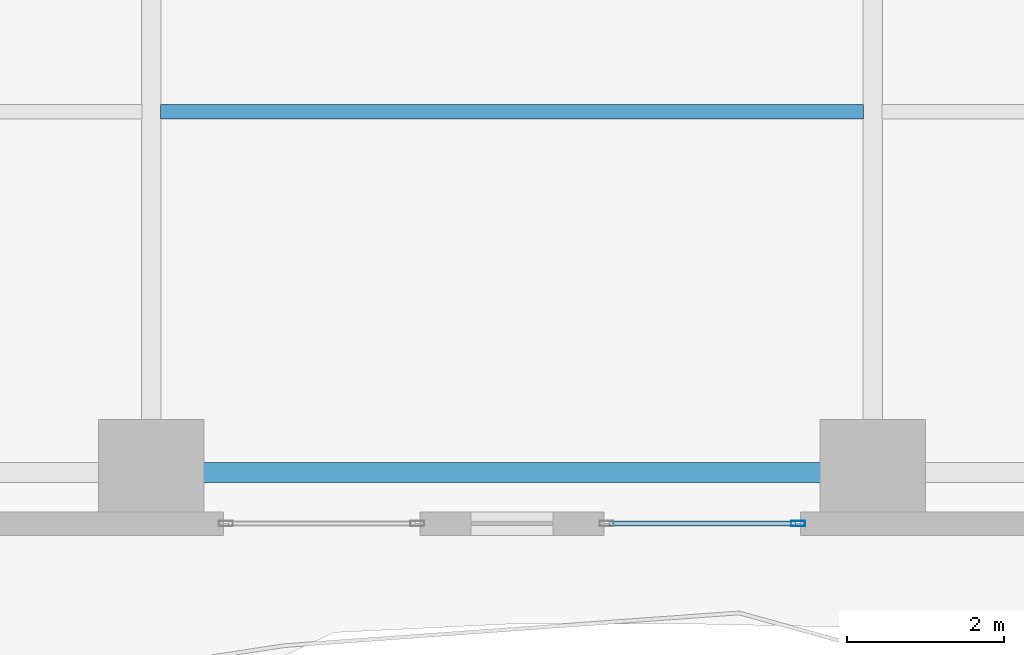
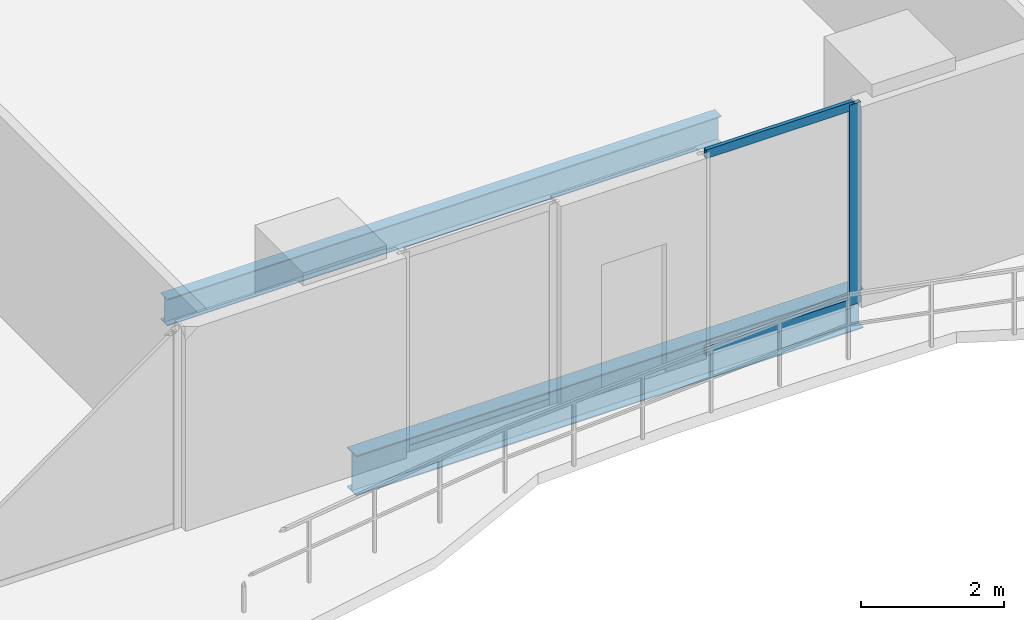
# One storey, part 5 of 28: 3 members, 2 beams, 1 element without a shape of its own.
"""IFC4 building model written with IfcOpenShell, lengths in metres."""

from ifc_helpers import new_model, si_unit, direction, frame, origin, origin_2d, place, context, subcontext, project, spatial, hollow_rectangle, i_section, extrude, material, layer, layer_set, material_profile, profile_set, type_object, element, aggregate, save


model = new_model("IFC4")

# Units and contexts
model_context = context("Model", 3, precision=1e-05, world=origin(), true_north=direction((0.0, 1.0)))
body_context = subcontext(model_context, "Body", "Model", "MODEL_VIEW")
ifc_project = project(units=[si_unit("LENGTHUNIT", "METRE"), si_unit("AREAUNIT", "SQUARE_METRE"), si_unit("VOLUMEUNIT", "CUBIC_METRE"), si_unit("PLANEANGLEUNIT", "RADIAN"), si_unit("MASSUNIT", "GRAM", prefix="KILO")], contexts=[model_context])

# Site, building, storey
site_placement = place(None, origin())
site = spatial("IfcSite", under=ifc_project, at=site_placement, CompositionType="ELEMENT")
building_placement = place(site_placement, origin())
building = spatial("IfcBuilding", under=site, at=building_placement, Name="Zuhayl Quay Hotel", CompositionType="ELEMENT")
storey_placement = place(building_placement, frame((0.0, 0.0, 110.25)))
storey = spatial("IfcBuildingStorey", under=building, at=storey_placement, Name="L27", CompositionType="ELEMENT", Elevation=110.25)

# Beams
ifc_material_1 = material(Name="Steel ASTM A992 Grade 50", Category="steel")
ifc_material_profile_1 = material_profile(ifc_material_1, i_section(OverallWidth=0.25390625, OverallDepth=0.68310546875, WebThickness=0.012451171875, FlangeThickness=0.018798828125, at=origin_2d()), Name="W27X94")
ifc_profile_set_1 = profile_set([ifc_material_profile_1], Name="Steel ASTM A992 Grade 50")
beam_type_1 = type_object("IfcBeamType", Name="BM_B2_W27X94", PredefinedType="BEAM", material=ifc_profile_set_1)
beam_1_placement = place(storey_placement, frame((-4.10009765625, -14.75, -0.5615234375), z_axis=(1.0, 0.0, 0.0), x_axis=(0.0, 1.0, 0.0)))
element("IfcBeam", 1, at=beam_1_placement, inside=storey, type_object=beam_type_1, Name="L27 Floor Beam RG_L27_02", PredefinedType="BEAM", context=body_context, shape_type="SweptSolid", body=[
    extrude(i_section(OverallWidth=0.25390625, OverallDepth=0.68310546875, WebThickness=0.012451171875, FlangeThickness=0.018798828125, at=origin_2d()), origin(), (0.0, 0.0, 1.0), 8.2001953125),
])
ifc_material_profile_2 = material_profile(ifc_material_1, i_section(OverallWidth=0.18994140625, OverallDepth=0.45703125, WebThickness=0.009033203125, FlangeThickness=0.014404296875, at=origin_2d()), Name="W18X50")
ifc_profile_set_2 = profile_set([ifc_material_profile_2], Name="Steel ASTM A992 Grade 50")
beam_type_2 = type_object("IfcBeamType", Name="BM_J2_W18X50", PredefinedType="JOIST", material=ifc_profile_set_2)
beam_2_placement = place(storey_placement, frame((-4.48095703125, -10.14990234375, -0.448486328125), z_axis=(1.0, 0.0, 0.0), x_axis=(0.0, 1.0, 0.0)))
element("IfcBeam", 2, at=beam_2_placement, inside=storey, type_object=beam_type_2, Name="L27 Floor Beam FJ_L27_5_2", PredefinedType="JOIST", context=body_context, shape_type="SweptSolid", body=[
    extrude(i_section(OverallWidth=0.18994140625, OverallDepth=0.45703125, WebThickness=0.009033203125, FlangeThickness=0.014404296875, at=origin_2d()), origin(), (0.0, 0.0, 1.0), 8.9619140625),
])

# Curtain wall, members
ifc_material_2 = material(Name="Anodised Aluminium 6063-T6", Category="aluminium")
ifc_layer = layer(ifc_material_2, 0.179931640625, Name="Anodised Aluminium 6063-T6", Category="aluminium")
ifc_layer_set = layer_set([ifc_layer], Name="Anodised Aluminium 6063-T6")
curtain_wall_type = type_object("IfcCurtainWallType", Name="CW_SYS_Z2", PredefinedType="USERDEFINED", material=ifc_layer_set)
curtain_wall_placement = place(storey_placement, origin())
curtain_wall = element("IfcCurtainWall", 3, at=curtain_wall_placement, inside=storey, type_object=curtain_wall_type, Name="L27 Curtain Wall ENV_L27_S_CW3", ObjectType="UNITISED CURTAIN WALL", PredefinedType="USERDEFINED")
ifc_material_3 = material(Name="Black-anodised aluminium 6063-T6", Category="aluminium")
ifc_material_profile_3 = material_profile(ifc_material_3, hollow_rectangle(XDim=0.06494140625, YDim=0.179931640625, WallThickness=0.00341796875, at=origin_2d()), Name="ALU180X65")
ifc_profile_set_3 = profile_set([ifc_material_profile_3], Name="Black-anodised aluminium 6063-T6")
member_type_1 = type_object("IfcMemberType", Name="MB_CW_MUL_180", PredefinedType="MULLION", material=ifc_profile_set_3)
member_1_placement = place(storey_placement, frame((3.6474609375, -15.39990234375, 0.0), z_axis=(0.0, 0.0, 1.0), x_axis=(0.0, -1.0, 0.0)))
member_1 = element("IfcMember", 4, at=member_1_placement, type_object=member_type_1, Name="CW-Z2 mullion 1", PredefinedType="MULLION", context=body_context, shape_type="SweptSolid", body=[
    extrude(hollow_rectangle(XDim=0.06494140625, YDim=0.179931640625, WallThickness=0.00341796875, at=origin_2d()), origin(), (0.0, 0.0, 1.0), 3.429931640625),
])
ifc_material_profile_4 = material_profile(ifc_material_3, hollow_rectangle(XDim=0.06005859375, YDim=0.14990234375, WallThickness=0.00341796875, at=origin_2d()), Name="ALU150X60")
ifc_profile_set_4 = profile_set([ifc_material_profile_4], Name="Black-anodised aluminium 6063-T6")
member_type_2 = type_object("IfcMemberType", Name="MB_CW_TRN_150", PredefinedType="USERDEFINED", material=ifc_profile_set_4)
member_2_placement = place(storey_placement, frame((3.614990234375, -15.39990234375, 0.030029296875), z_axis=(-1.0, 0.0, 0.0), x_axis=(0.0, -1.0, 0.0)))
member_2 = element("IfcMember", 5, at=member_2_placement, type_object=member_type_2, Name="CW-Z2 transom 1.1", ObjectType="TRANSOM", PredefinedType="USERDEFINED", context=body_context, shape_type="SweptSolid", body=[
    extrude(hollow_rectangle(XDim=0.06005859375, YDim=0.14990234375, WallThickness=0.00341796875, at=origin_2d()), origin(), (0.0, 0.0, 1.0), 2.375),
])
member_3_placement = place(storey_placement, frame((3.614990234375, -15.39990234375, 3.39990234375), z_axis=(-1.0, 0.0, 0.0), x_axis=(0.0, -1.0, 0.0)))
member_3 = element("IfcMember", 6, at=member_3_placement, type_object=member_type_2, Name="CW-Z2 transom 1.2", ObjectType="TRANSOM", PredefinedType="USERDEFINED", context=body_context, shape_type="SweptSolid", body=[
    extrude(hollow_rectangle(XDim=0.06005859375, YDim=0.14990234375, WallThickness=0.00341796875, at=origin_2d()), origin(), (0.0, 0.0, 1.0), 2.375),
])
aggregate(curtain_wall, [member_1, member_2, member_3])

save(model, "model.ifc")
